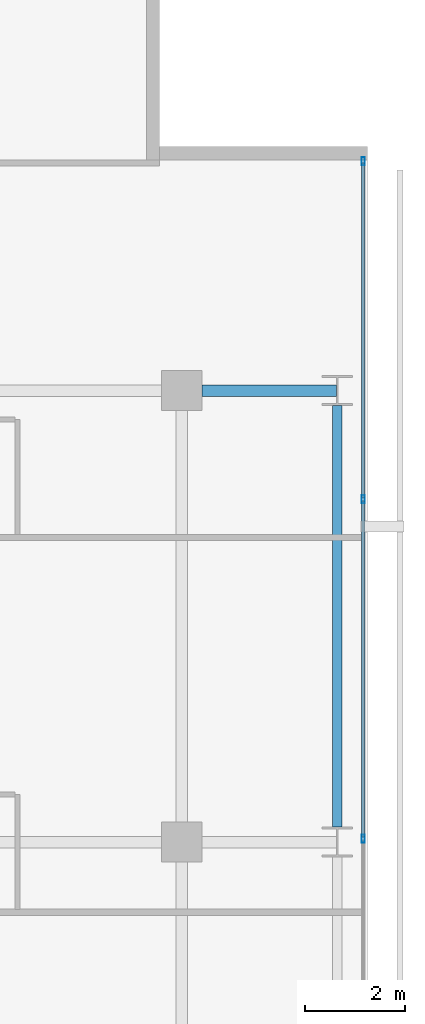
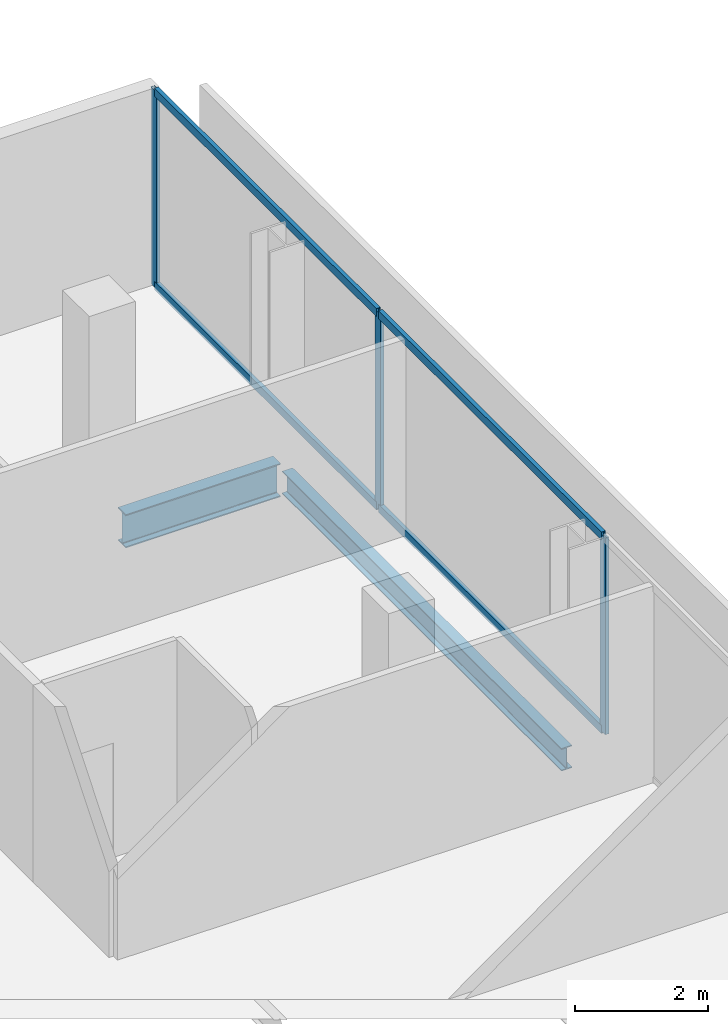
# One storey, part 24 of 33: 7 members, 2 beams, 1 element without a shape of its own.
"""IFC4 building model written with IfcOpenShell, lengths in metres."""

import ifcopenshell
import ifcopenshell.guid

model = None  # the IFC model being written
_history = None  # IfcOwnerHistory: only IFC2X3 demands one
_inside = {}  # id of a spatial element -> (the spatial element, [elements in it])
_under = {}  # id of a project, library or spatial element -> (it, [spatial elements below it])
_declared = {}  # id of a project -> (the project, [libraries it declares])
_typed = {}  # id of a type object -> (the type object, [elements of that type])
_made_of = {}  # id of a material, layer set ... -> (it, [elements and type objects made of it])


def new_model(schema):
    """Start an empty IFC model of exactly this schema.

    Asked for "IFC4X3", IfcOpenShell would pick the latest addendum, in which some entities
    have other attributes; the version numbers below select the first issue.
    IFC2X3 requires an IfcOwnerHistory on every rooted entity: one is made here for all.
    """
    global model, _history
    if schema == "IFC4X3":
        model = ifcopenshell.file(schema_version=(4, 3, 0, 0))
    else:
        model = ifcopenshell.file(schema=schema)
    _inside.clear()
    _under.clear()
    _declared.clear()
    _typed.clear()
    _made_of.clear()
    _history = None
    if model.schema == "IFC2X3":
        org = make("IfcOrganization", Name="unknown")
        user = make(
            "IfcPersonAndOrganization",
            ThePerson=make("IfcPerson", FamilyName="unknown"),
            TheOrganization=org,
        )
        app = make(
            "IfcApplication",
            ApplicationDeveloper=org,
            Version="unknown",
            ApplicationFullName="unknown",
            ApplicationIdentifier="unknown",
        )
        _history = make(
            "IfcOwnerHistory",
            OwningUser=user,
            OwningApplication=app,
            ChangeAction="ADDED",
            CreationDate=0,
        )
    return model


def make(cls, **values):
    """One entity of the class cls with the attributes given. An attribute that is None is left unset."""
    return model.create_entity(
        cls, **{name: value for name, value in values.items() if value is not None}
    )


def rooted(cls, **values):
    """An entity with a GlobalId (a new one), such as an element, a storey or a relation."""
    return make(cls, GlobalId=ifcopenshell.guid.new(), OwnerHistory=_history, **values)


def si_unit(unit_type, name, prefix=None):
    """IfcSIUnit, for example si_unit("LENGTHUNIT", "METRE", prefix="MILLI")."""
    return make("IfcSIUnit", UnitType=unit_type, Prefix=prefix, Name=name)


def assignment(units):
    """IfcUnitAssignment: the units of a project."""
    return None if units is None else make("IfcUnitAssignment", Units=units)


def point(xyz):
    """IfcCartesianPoint."""
    return None if xyz is None else make("IfcCartesianPoint", Coordinates=xyz)


def direction(xyz):
    """IfcDirection."""
    return None if xyz is None else make("IfcDirection", DirectionRatios=xyz)


def frame(location, z_axis=None, x_axis=None):
    """IfcAxis2Placement3D, a coordinate frame: its origin and axes. An axis left out is left unset."""
    return make(
        "IfcAxis2Placement3D",
        Location=point(location),
        Axis=direction(z_axis),
        RefDirection=direction(x_axis),
    )


def frame_2d(location, x_axis=None):
    """IfcAxis2Placement2D, a coordinate frame in the plane: its origin and x axis."""
    return make(
        "IfcAxis2Placement2D", Location=point(location), RefDirection=direction(x_axis)
    )


def origin():
    """The frame at (0, 0, 0) with its axes left unset."""
    return frame((0.0, 0.0, 0.0))


def origin_2d():
    """The frame at (0, 0) in the plane with its x axis left unset."""
    return frame_2d((0.0, 0.0))


def place(relative_to, where):
    """IfcLocalPlacement: puts the frame where relative to a parent placement (None: the world)."""
    return make(
        "IfcLocalPlacement", PlacementRelTo=relative_to, RelativePlacement=where
    )


def context(
    kind, dimensions, precision=None, world=None, true_north=None, identifier=None
):
    """IfcGeometricRepresentationContext, for example the 3D "Model" context."""
    return make(
        "IfcGeometricRepresentationContext",
        ContextIdentifier=identifier,
        ContextType=kind,
        CoordinateSpaceDimension=dimensions,
        Precision=precision,
        WorldCoordinateSystem=world,
        TrueNorth=true_north,
    )


def subcontext(parent, identifier, kind, view, scale=None):
    """IfcGeometricRepresentationSubContext, for example "Body" below "Model"."""
    return make(
        "IfcGeometricRepresentationSubContext",
        ContextIdentifier=identifier,
        ContextType=kind,
        ParentContext=parent,
        TargetScale=scale,
        TargetView=view,
    )


def project(units=None, contexts=None):
    """IfcProject with its units and contexts."""
    return rooted(
        "IfcProject",
        Name="project",
        RepresentationContexts=contexts,
        UnitsInContext=assignment(units),
    )


def spatial(cls, under=None, at=None, **own):
    """A site, building, storey or space (cls), placed at a placement, below another one or the project."""
    s = rooted(cls, ObjectPlacement=at, **own)
    if under is not None:
        _under.setdefault(under.id(), (under, []))[1].append(s)
    return s


def profile(cls, at=None, kind="AREA", **sizes):
    """A parametric profile (cls). Its sizes go by their IFC names, for example OverallWidth=200.0."""
    return make(cls, ProfileType=kind, Position=at, **sizes)


def hollow_rectangle(**sizes):
    """IfcRectangleHollowProfileDef."""
    return profile("IfcRectangleHollowProfileDef", **sizes)


def i_section(**sizes):
    """IfcIShapeProfileDef."""
    return profile("IfcIShapeProfileDef", **sizes)


def extrude(swept, where, along, depth):
    """IfcExtrudedAreaSolid: the profile swept, set in the frame where, extruded along a direction by depth."""
    return make(
        "IfcExtrudedAreaSolid",
        SweptArea=swept,
        Position=where,
        ExtrudedDirection=direction(along),
        Depth=depth,
    )


def shape(context_of_items, identifier, shape_type, items):
    """IfcShapeRepresentation: the items that make up one representation, for example the "Body"."""
    return make(
        "IfcShapeRepresentation",
        ContextOfItems=context_of_items,
        RepresentationIdentifier=identifier,
        RepresentationType=shape_type,
        Items=items,
    )


def material(Name=None, Category=None):
    """IfcMaterial."""
    return make("IfcMaterial", Name=Name, Category=Category)


def layer(
    of_material, thickness, ventilated=None, Name=None, Category=None, Priority=None
):
    """IfcMaterialLayer: one layer of a wall or slab, of a material (None: an air gap)."""
    return make(
        "IfcMaterialLayer",
        Material=of_material,
        LayerThickness=thickness,
        IsVentilated=ventilated,
        Name=Name,
        Category=Category,
        Priority=Priority,
    )


def layer_set(layers, Name=None):
    """IfcMaterialLayerSet."""
    return make("IfcMaterialLayerSet", MaterialLayers=layers, LayerSetName=Name)


def material_profile(
    of_material, cross_section, Name=None, Category=None, Priority=None
):
    """IfcMaterialProfile: a cross section and its material."""
    return make(
        "IfcMaterialProfile",
        Name=Name,
        Material=of_material,
        Profile=cross_section,
        Priority=Priority,
        Category=Category,
    )


def profile_set(profiles, Name=None, composite=None):
    """IfcMaterialProfileSet."""
    return make(
        "IfcMaterialProfileSet",
        Name=Name,
        MaterialProfiles=profiles,
        CompositeProfile=composite,
    )


def made_of(thing, what):
    """Note that an element or type object is made of a material, layer set ...; save() writes the relation."""
    if what is not None:
        _made_of.setdefault(what.id(), (what, []))[1].append(thing)
    return thing


def type_object(cls, material=None, **own):
    """A type object (cls), such as IfcWallType, which elements share."""
    return made_of(rooted(cls, **own), material)


def element(
    cls,
    number,
    at=None,
    inside=None,
    cuts=None,
    type_object=None,
    material=None,
    context=None,
    identifier="Body",
    shape_type=None,
    held_by="IfcProductDefinitionShape",
    body=None,
    shapes=None,
    **own,
):
    """One element of the class cls, such as IfcWall. Its Tag is "e" and its number.

    at: its placement. inside: the storey or other place that contains it. cuts: it is an
    opening in that element (IfcRelVoidsElement). A single representation is given by context,
    identifier, shape_type and body (its items); several are given by shapes. held_by: the class
    of the entity that holds the representations. save() writes the other relations.
    """
    e = rooted(cls, Tag="e%d" % number, ObjectPlacement=at, **own)
    if body is not None:
        shapes = [shape(context, identifier, shape_type, body)]
    if shapes is not None:
        e.Representation = make(held_by, Representations=shapes)
    if inside is not None:
        _inside.setdefault(inside.id(), (inside, []))[1].append(e)
    if cuts is not None:
        rooted(
            "IfcRelVoidsElement", RelatingBuildingElement=cuts, RelatedOpeningElement=e
        )
    if type_object is not None:
        _typed.setdefault(type_object.id(), (type_object, []))[1].append(e)
    return made_of(e, material)


def aggregate(whole, parts):
    """IfcRelAggregates: a whole, such as a stair, and the parts it consists of."""
    return rooted("IfcRelAggregates", RelatingObject=whole, RelatedObjects=parts)


def save(model, path):
    """Write the relations noted so far, then the file.

    IfcRelAggregates (storeys below a building ...), IfcRelContainedInSpatialStructure (elements
    in a storey), IfcRelDefinesByType, IfcRelAssociatesMaterial and IfcRelDeclares: one each for
    every whole, place, type object, material and project.
    """
    for whole, parts in _under.values():
        aggregate(whole, parts)
    for where, things in _inside.values():
        rooted(
            "IfcRelContainedInSpatialStructure",
            RelatedElements=things,
            RelatingStructure=where,
        )
    for kind, things in _typed.values():
        rooted("IfcRelDefinesByType", RelatedObjects=things, RelatingType=kind)
    for what, things in _made_of.values():
        rooted("IfcRelAssociatesMaterial", RelatedObjects=things, RelatingMaterial=what)
    for by, libraries in _declared.values():
        rooted("IfcRelDeclares", RelatingContext=by, RelatedDefinitions=libraries)
    model.write(path)


model = new_model("IFC4")

# Units and contexts
model_context = context("Model", 3, precision=1e-05, world=origin(), true_north=direction((0.0, 1.0)))
body_context = subcontext(model_context, "Body", "Model", "MODEL_VIEW")
ifc_project = project(units=[si_unit("LENGTHUNIT", "METRE"), si_unit("AREAUNIT", "SQUARE_METRE"), si_unit("VOLUMEUNIT", "CUBIC_METRE"), si_unit("PLANEANGLEUNIT", "RADIAN"), si_unit("MASSUNIT", "GRAM", prefix="KILO")], contexts=[model_context])

# Site, building, storey
site_placement = place(None, origin())
site = spatial("IfcSite", under=ifc_project, at=site_placement, CompositionType="ELEMENT")
building_placement = place(site_placement, origin())
building = spatial("IfcBuilding", under=site, at=building_placement, Name="Maruvema Waterfront Hotel and Observation Tower", CompositionType="ELEMENT")
storey_placement = place(building_placement, frame((0.0, 0.0, 154.35009765625)))
storey = spatial("IfcBuildingStorey", under=building, at=storey_placement, Name="L37", CompositionType="ELEMENT", Elevation=154.35009765625)

# Curtain wall, members
ifc_material_1 = material(Name="Anodised bronze aluminium and solar-control low-E IGU", Category="aluminium")
ifc_layer = layer(ifc_material_1, 0.159912109375, Name="Zone 2 Amber Inner Thermal Curtain Wall System CW-03")
ifc_layer_set = layer_set([ifc_layer], Name="Anodised bronze aluminium and solar-control low-E IGU")
curtain_wall_type = type_object("IfcCurtainWallType", Name="Zone 2 Amber Inner Thermal Curtain Wall System CW-03", PredefinedType="USERDEFINED", material=ifc_layer_set)
curtain_wall_placement = place(storey_placement, origin())
curtain_wall = element("IfcCurtainWall", 1, at=curtain_wall_placement, inside=storey, type_object=curtain_wall_type, Name="L37 Curtain Wall CW-L37-E", ObjectType="UNITISED CURTAIN WALL", PredefinedType="USERDEFINED")
ifc_material_2 = material(Name="Anodised architectural bronze aluminium", Category="aluminium")
ifc_material_profile_1 = material_profile(ifc_material_2, hollow_rectangle(XDim=0.070068359375, YDim=0.14990234375, WallThickness=0.00390625, at=origin_2d()), Name="ALU-T70x150")
ifc_profile_set_1 = profile_set([ifc_material_profile_1], Name="Anodised architectural bronze aluminium")
member_type_1 = type_object("IfcMemberType", Name="Curtain Wall Horizontal Transom ALU-T70x150", PredefinedType="USERDEFINED", material=ifc_profile_set_1)
member_1_placement = place(storey_placement, frame((62.419921875, 36.0966796875, 0.02978515625), z_axis=(0.0, 1.0, 0.0), x_axis=(-1.0, 0.0, 0.0)))
member_1 = element("IfcMember", 2, at=member_1_placement, type_object=member_type_1, Name="CW-03 transom 5.1", ObjectType="TRANSOM", PredefinedType="USERDEFINED", context=body_context, shape_type="SweptSolid", body=[
    extrude(hollow_rectangle(XDim=0.070068359375, YDim=0.14990234375, WallThickness=0.00390625, at=origin_2d()), origin(), (0.0, 0.0, 1.0), 6.70654296875),
])
member_2_placement = place(storey_placement, frame((62.419921875, 36.0966796875, 3.579833984375), z_axis=(0.0, 1.0, 0.0), x_axis=(-1.0, 0.0, 0.0)))
member_2 = element("IfcMember", 3, at=member_2_placement, type_object=member_type_1, Name="CW-03 transom 5.2", ObjectType="TRANSOM", PredefinedType="USERDEFINED", context=body_context, shape_type="SweptSolid", body=[
    extrude(hollow_rectangle(XDim=0.070068359375, YDim=0.14990234375, WallThickness=0.00390625, at=origin_2d()), origin(), (0.0, 0.0, 1.0), 6.70654296875),
])
member_3_placement = place(storey_placement, frame((62.419921875, 42.86328125, 0.02978515625), z_axis=(0.0, 1.0, 0.0), x_axis=(-1.0, 0.0, 0.0)))
member_3 = element("IfcMember", 4, at=member_3_placement, type_object=member_type_1, Name="CW-03 transom 6.1", ObjectType="TRANSOM", PredefinedType="USERDEFINED", context=body_context, shape_type="SweptSolid", body=[
    extrude(hollow_rectangle(XDim=0.070068359375, YDim=0.14990234375, WallThickness=0.00390625, at=origin_2d()), origin(), (0.0, 0.0, 1.0), 6.6767578125),
])
member_4_placement = place(storey_placement, frame((62.419921875, 42.86328125, 3.579833984375), z_axis=(0.0, 1.0, 0.0), x_axis=(-1.0, 0.0, 0.0)))
member_4 = element("IfcMember", 5, at=member_4_placement, type_object=member_type_1, Name="CW-03 transom 6.2", ObjectType="TRANSOM", PredefinedType="USERDEFINED", context=body_context, shape_type="SweptSolid", body=[
    extrude(hollow_rectangle(XDim=0.070068359375, YDim=0.14990234375, WallThickness=0.00390625, at=origin_2d()), origin(), (0.0, 0.0, 1.0), 6.6767578125),
])
ifc_material_3 = material(Name="Anodised architectural bronze aluminium", Category="aluminium")
ifc_material_profile_2 = material_profile(ifc_material_3, hollow_rectangle(XDim=0.06494140625, YDim=0.1650390625, WallThickness=0.00390625, at=origin_2d()), Name="ALU-M65x165")
ifc_profile_set_2 = profile_set([ifc_material_profile_2], Name="Anodised architectural bronze aluminium")
member_type_2 = type_object("IfcMemberType", Name="Curtain Wall Primary Mullion ALU-M65x165", PredefinedType="MULLION", material=ifc_profile_set_2)
member_5_placement = place(storey_placement, frame((62.419921875, 36.066650390625, 0.0), z_axis=(0.0, 0.0, 1.0), x_axis=(-1.0, 0.0, 0.0)))
member_5 = element("IfcMember", 6, at=member_5_placement, type_object=member_type_2, Name="CW-03 mullion 5", PredefinedType="MULLION", context=body_context, shape_type="SweptSolid", body=[
    extrude(hollow_rectangle(XDim=0.06494140625, YDim=0.1650390625, WallThickness=0.00390625, at=origin_2d()), origin(), (0.0, 0.0, 1.0), 3.60986328125),
])
member_6_placement = place(storey_placement, frame((62.419921875, 42.833251953125, 0.0), z_axis=(0.0, 0.0, 1.0), x_axis=(-1.0, 0.0, 0.0)))
member_6 = element("IfcMember", 7, at=member_6_placement, type_object=member_type_2, Name="CW-03 mullion 6", PredefinedType="MULLION", context=body_context, shape_type="SweptSolid", body=[
    extrude(hollow_rectangle(XDim=0.06494140625, YDim=0.1650390625, WallThickness=0.00390625, at=origin_2d()), origin(), (0.0, 0.0, 1.0), 3.60986328125),
])
member_7_placement = place(storey_placement, frame((62.419921875, 49.570068359375, 0.0), z_axis=(0.0, 0.0, 1.0), x_axis=(-1.0, 0.0, 0.0)))
member_7 = element("IfcMember", 8, at=member_7_placement, type_object=member_type_2, Name="CW-03 mullion 7", PredefinedType="MULLION", context=body_context, shape_type="SweptSolid", body=[
    extrude(hollow_rectangle(XDim=0.06494140625, YDim=0.1650390625, WallThickness=0.00390625, at=origin_2d()), origin(), (0.0, 0.0, 1.0), 3.60986328125),
])
aggregate(curtain_wall, [member_5, member_6, member_7, member_1, member_2, member_3, member_4])

# Beams
ifc_material_4 = material(Name="Steel ASTM A572 Grade 50", Category="steel")
ifc_material_profile_3 = material_profile(ifc_material_4, i_section(OverallWidth=0.180908203125, OverallDepth=0.4169921875, WebThickness=0.010986328125, FlangeThickness=0.018310546875, FilletRadius=0.014892578125, at=origin_2d()), Name="W410x85.0")
ifc_profile_set_3 = profile_set([ifc_material_profile_3], Name="Steel ASTM A572 Grade 50")
beam_type_1 = type_object("IfcBeamType", Name="Perimeter Spandrel Beam W410x85.0", PredefinedType="SPANDREL", material=ifc_profile_set_3)
beam_1_placement = place(storey_placement, frame((61.89990234375, 36.300048828125, -0.448486328125), z_axis=(0.0, 1.0, 0.0), x_axis=(-1.0, 0.0, 0.0)))
element("IfcBeam", 9, at=beam_1_placement, inside=storey, type_object=beam_type_1, Name="L37 Floor Girder NS-32", PredefinedType="SPANDREL", context=body_context, shape_type="SweptSolid", body=[
    extrude(i_section(OverallWidth=0.180908203125, OverallDepth=0.4169921875, WebThickness=0.010986328125, FlangeThickness=0.018310546875, FilletRadius=0.014892578125, at=origin_2d()), origin(), (0.0, 0.0, 1.0), 8.39990234375),
])
ifc_material_5 = material(Name="Steel ASTM A572 Grade 50", Category="steel")
ifc_material_profile_4 = material_profile(ifc_material_5, i_section(OverallWidth=0.22900390625, OverallDepth=0.612060546875, WebThickness=0.011962890625, FlangeThickness=0.01953125, FilletRadius=0.01806640625, at=origin_2d()), Name="W610x125.0")
ifc_profile_set_4 = profile_set([ifc_material_profile_4], Name="Steel ASTM A572 Grade 50")
beam_type_2 = type_object("IfcBeamType", Name="Primary Floor Girder W610x125.0", PredefinedType="BEAM", material=ifc_profile_set_4)
beam_2_placement = place(storey_placement, frame((59.199951171875, 45.0, -0.546142578125), z_axis=(1.0, 0.0, 0.0), x_axis=(0.0, 1.0, 0.0)))
element("IfcBeam", 10, at=beam_2_placement, inside=storey, type_object=beam_type_2, Name="L37 Floor Girder EW-33", PredefinedType="BEAM", context=body_context, shape_type="SweptSolid", body=[
    extrude(i_section(OverallWidth=0.22900390625, OverallDepth=0.612060546875, WebThickness=0.011962890625, FlangeThickness=0.01953125, FilletRadius=0.01806640625, at=origin_2d()), origin(), (0.0, 0.0, 1.0), 2.6875),
])

save(model, "model.ifc")
